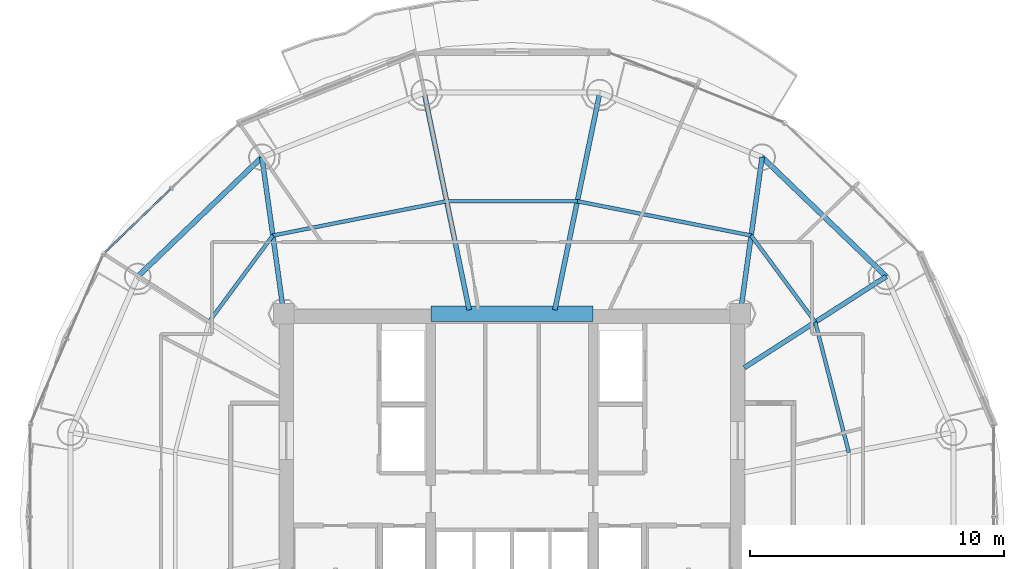
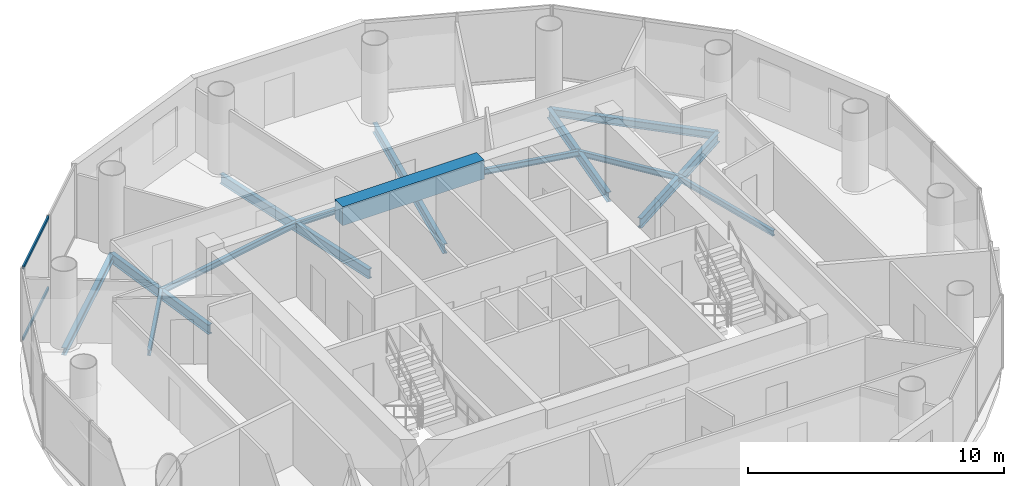
# One storey, part 9 of 23: 14 beams, 2 members, 1 element without a shape of its own.
"""IFC4 building model written with IfcOpenShell, lengths in metres."""

from ifc_helpers import new_model, si_unit, direction, frame, origin, origin_2d, place, context, subcontext, project, spatial, rectangle, hollow_rectangle, i_section, extrude, source, transform, mapped, material, material_profile, profile_set, type_object, element, aggregate, save


model = new_model("IFC4")

# Units and contexts
model_context = context("Model", 3, precision=1e-05, world=origin(), true_north=direction((-0.2419218956, 0.970295726276)))
body_context = subcontext(model_context, "Body", "Model", "MODEL_VIEW")
ifc_project = project(units=[si_unit("LENGTHUNIT", "METRE"), si_unit("AREAUNIT", "SQUARE_METRE"), si_unit("VOLUMEUNIT", "CUBIC_METRE"), si_unit("PLANEANGLEUNIT", "RADIAN"), si_unit("MASSUNIT", "GRAM", prefix="KILO")], contexts=[model_context])

# Site, building, storey
site_placement = place(None, origin())
site = spatial("IfcSite", under=ifc_project, at=site_placement, CompositionType="ELEMENT")
building_placement = place(site_placement, origin())
building = spatial("IfcBuilding", under=site, at=building_placement, Name="Cobrevalo Terracotta Tower", CompositionType="ELEMENT")
storey_placement = place(building_placement, frame((0.0, 0.0, 248.199951171875)))
storey = spatial("IfcBuildingStorey", under=building, at=storey_placement, Name="L65", CompositionType="ELEMENT", Elevation=248.199951171875)

# Beams
ifc_material_1 = material(Name="Concrete C60", Category="concrete")
ifc_material_profile_1 = material_profile(ifc_material_1, rectangle(XDim=0.60009765625, YDim=0.89990234375, at=origin_2d()), Name="RC CB 600x900")
ifc_profile_set_1 = profile_set([ifc_material_profile_1], Name="Concrete C60")
beam_type_1 = type_object("IfcBeamType", Name="Structural Beam RC CB 600x900 (Concrete C60)", PredefinedType="BEAM", material=ifc_profile_set_1)
beam_1_placement = place(storey_placement, frame((34.800048828125, 34.800048828125, 3.0400390625), z_axis=(1.0, 0.0, 0.0), x_axis=(0.0, 1.0, 0.0)))
element("IfcBeam", 1, at=beam_1_placement, inside=storey, type_object=beam_type_1, Name="L65 core coupling beam 2", PredefinedType="BEAM", context=body_context, shape_type="SweptSolid", body=[
    extrude(rectangle(XDim=0.60009765625, YDim=0.89990234375, at=origin_2d()), origin(), (0.0, 0.0, 1.0), 6.39990234375),
])
ifc_material_2 = material(Name="Steel S355", Category="steel")
ifc_material_profile_2 = material_profile(ifc_material_2, i_section(OverallWidth=0.19091796875, OverallDepth=0.4599609375, WebThickness=0.010009765625, FlangeThickness=0.01611328125, at=origin_2d()), Name="W 460x82")
ifc_profile_set_2 = profile_set([ifc_material_profile_2], Name="Steel S355")
beam_type_2 = type_object("IfcBeamType", Name="Structural Beam W 460x82 (Steel S355)", PredefinedType="BEAM", material=ifc_profile_set_2)
beam_2_placement = place(storey_placement, frame((52.758544921875, 36.2724609375, -0.489990234375), z_axis=(-0.84157615512, -0.540138477739, 0.0), x_axis=(0.540138477739, -0.84157615512, 0.0)))
element("IfcBeam", 2, at=beam_2_placement, inside=storey, type_object=beam_type_2, Name="L65 radial floor girder 02", PredefinedType="BEAM", context=body_context, shape_type="SweptSolid", body=[
    extrude(i_section(OverallWidth=0.19091796875, OverallDepth=0.4599609375, WebThickness=0.010009765625, FlangeThickness=0.01611328125, at=origin_2d()), origin(), (0.0, 0.0, 1.0), 6.658447265625),
])
beam_3_placement = place(storey_placement, frame((47.861328125, 40.9765625, -0.489990234375), z_axis=(-0.138115657759, -0.990416107039, 0.0), x_axis=(0.990416107039, -0.138115657759, 0.0)))
element("IfcBeam", 3, at=beam_3_placement, inside=storey, type_object=beam_type_2, Name="L65 radial floor girder 03", PredefinedType="BEAM", context=body_context, shape_type="SweptSolid", body=[
    extrude(i_section(OverallWidth=0.19091796875, OverallDepth=0.4599609375, WebThickness=0.010009765625, FlangeThickness=0.01611328125, at=origin_2d()), origin(), (0.0, 0.0, 1.0), 6.236328125),
])
for number, where, z_axis, x_axis, name in (
    (4, (41.462890625, 43.5224609375, -0.489990234375), (-0.202781841237, -0.9792239401, 0.0), (0.9792239401, -0.202781841237, 0.0), "L65 radial floor girder 04"),
    (5, (34.537109375, 43.5224609375, -0.489990234375), (0.202781841237, -0.9792239401, 0.0), (0.9792239401, 0.202781841237, 0.0), "L65 radial floor girder 05"),
):
    element("IfcBeam", number, at=place(storey_placement, frame(where, z_axis=z_axis, x_axis=x_axis)), inside=storey, type_object=beam_type_2, Name=name, PredefinedType="BEAM", context=body_context, shape_type="SweptSolid", body=[
        extrude(i_section(OverallWidth=0.19091796875, OverallDepth=0.4599609375, WebThickness=0.010009765625, FlangeThickness=0.01611328125, at=origin_2d()), origin(), (0.0, 0.0, 1.0), 8.749267578125),
    ])
beam_4_placement = place(storey_placement, frame((28.138671875, 40.9765625, -0.489990234375), z_axis=(0.138115657759, -0.990416107039, 0.0), x_axis=(0.990416107039, 0.138115657759, 0.0)))
element("IfcBeam", 6, at=beam_4_placement, inside=storey, type_object=beam_type_2, Name="L65 radial floor girder 06", PredefinedType="BEAM", context=body_context, shape_type="SweptSolid", body=[
    extrude(i_section(OverallWidth=0.19091796875, OverallDepth=0.4599609375, WebThickness=0.010009765625, FlangeThickness=0.01611328125, at=origin_2d()), origin(), (0.0, 0.0, 1.0), 6.236328125),
])
ifc_material_profile_3 = material_profile(ifc_material_2, i_section(OverallWidth=0.14794921875, OverallDepth=0.26611328125, WebThickness=0.007568359375, FlangeThickness=0.012939453125, at=origin_2d()), Name="W 250x44.8")
ifc_profile_set_3 = profile_set([ifc_material_profile_3], Name="Steel S355")
beam_type_3 = type_object("IfcBeamType", Name="Structural Joist W 250x44.8 (Steel S355)", PredefinedType="JOIST", material=ifc_profile_set_3)
beam_5_placement = place(storey_placement, frame((51.281982421875, 29.337646484375, -0.39306640625), z_axis=(-0.249816773293, 0.968293126993, 0.0), x_axis=(-0.968293126993, -0.249816773293, 0.0)))
element("IfcBeam", 7, at=beam_5_placement, inside=storey, type_object=beam_type_3, Name="L65 circumferential secondary floor joist 01", PredefinedType="JOIST", context=body_context, shape_type="SweptSolid", body=[
    extrude(i_section(OverallWidth=0.14794921875, OverallDepth=0.26611328125, WebThickness=0.007568359375, FlangeThickness=0.012939453125, at=origin_2d()), origin(), (0.0, 0.0, 1.0), 5.3046875),
])
beam_6_placement = place(storey_placement, frame((49.956787109375, 34.47412109375, -0.39306640625), z_axis=(-0.594799916617, 0.803873783123, 0.0), x_axis=(-0.803873783123, -0.594799916617, 0.0)))
element("IfcBeam", 8, at=beam_6_placement, inside=storey, type_object=beam_type_3, Name="L65 circumferential secondary floor joist 02", PredefinedType="JOIST", context=body_context, shape_type="SweptSolid", body=[
    extrude(i_section(OverallWidth=0.14794921875, OverallDepth=0.26611328125, WebThickness=0.007568359375, FlangeThickness=0.012939453125, at=origin_2d()), origin(), (0.0, 0.0, 1.0), 4.2470703125),
])
beam_7_placement = place(storey_placement, frame((47.4306640625, 37.88818359375, -0.39306640625), z_axis=(-0.98113843359, 0.19330642548, 0.0), x_axis=(-0.19330642548, -0.98113843359, 0.0)))
element("IfcBeam", 9, at=beam_7_placement, inside=storey, type_object=beam_type_3, Name="L65 circumferential secondary floor joist 03", PredefinedType="JOIST", context=body_context, shape_type="SweptSolid", body=[
    extrude(i_section(OverallWidth=0.14794921875, OverallDepth=0.26611328125, WebThickness=0.007568359375, FlangeThickness=0.012939453125, at=origin_2d()), origin(), (0.0, 0.0, 1.0), 6.98681640625),
])
beam_8_placement = place(storey_placement, frame((40.57568359375, 39.23876953125, -0.39306640625), z_axis=(-1.0, 0.0, 0.0), x_axis=(0.0, -1.0, 0.0)))
element("IfcBeam", 10, at=beam_8_placement, inside=storey, type_object=beam_type_3, Name="L65 circumferential secondary floor joist 04", PredefinedType="JOIST", context=body_context, shape_type="SweptSolid", body=[
    extrude(i_section(OverallWidth=0.14794921875, OverallDepth=0.26611328125, WebThickness=0.007568359375, FlangeThickness=0.012939453125, at=origin_2d()), origin(), (0.0, 0.0, 1.0), 5.1513671875),
])
beam_9_placement = place(storey_placement, frame((35.42431640625, 39.23876953125, -0.39306640625), z_axis=(-0.98113843359, -0.19330642548, 0.0), x_axis=(0.19330642548, -0.98113843359, 0.0)))
element("IfcBeam", 11, at=beam_9_placement, inside=storey, type_object=beam_type_3, Name="L65 circumferential secondary floor joist 05", PredefinedType="JOIST", context=body_context, shape_type="SweptSolid", body=[
    extrude(i_section(OverallWidth=0.14794921875, OverallDepth=0.26611328125, WebThickness=0.007568359375, FlangeThickness=0.012939453125, at=origin_2d()), origin(), (0.0, 0.0, 1.0), 6.98681640625),
])
beam_10_placement = place(storey_placement, frame((28.5693359375, 37.88818359375, -0.39306640625), z_axis=(-0.594799916617, -0.803873783123, 0.0), x_axis=(0.803873783123, -0.594799916617, 0.0)))
element("IfcBeam", 12, at=beam_10_placement, inside=storey, type_object=beam_type_3, Name="L65 circumferential secondary floor joist 06", PredefinedType="JOIST", context=body_context, shape_type="SweptSolid", body=[
    extrude(i_section(OverallWidth=0.14794921875, OverallDepth=0.26611328125, WebThickness=0.007568359375, FlangeThickness=0.012939453125, at=origin_2d()), origin(), (0.0, 0.0, 1.0), 4.2470703125),
])
ifc_material_profile_4 = material_profile(ifc_material_2, i_section(OverallWidth=0.205078125, OverallDepth=0.35400390625, WebThickness=0.009521484375, FlangeThickness=0.016845703125, at=origin_2d()), Name="W 360x79")
ifc_profile_set_4 = profile_set([ifc_material_profile_4], Name="Steel S355")
beam_type_4 = type_object("IfcBeamType", Name="Structural Spandrel W 360x79 (Steel S355)", PredefinedType="SPANDREL", material=ifc_profile_set_4)
for number, where, z_axis, x_axis, name in (
    (13, (52.758544921875, 36.2724609375, -0.43701171875), (-0.721183246144, 0.692744343522, 0.0), (-0.692744343522, -0.721183246144, 0.0), "L65 perimeter ring spandrel 02"),
    (14, (28.138671875, 40.9765625, -0.43701171875), (-0.721183246144, -0.692744343522, 0.0), (0.692744343522, -0.721183246144, 0.0), "L65 perimeter ring spandrel 06"),
):
    element("IfcBeam", number, at=place(storey_placement, frame(where, z_axis=z_axis, x_axis=x_axis)), inside=storey, type_object=beam_type_4, Name=name, PredefinedType="SPANDREL", context=body_context, shape_type="SweptSolid", body=[
        extrude(i_section(OverallWidth=0.205078125, OverallDepth=0.35400390625, WebThickness=0.009521484375, FlangeThickness=0.016845703125, at=origin_2d()), origin(), (0.0, 0.0, 1.0), 6.79052734375),
    ])

# Curtain wall, members
ifc_material_3 = material(Name="Anodized aluminium", Category="aluminium")
curtain_wall_type = type_object("IfcCurtainWallType", Name="Upper-tower triple-glazed penthouse curtain wall CW-U3", PredefinedType="NOTDEFINED", material=ifc_material_3)
curtain_wall_placement = place(storey_placement, origin())
curtain_wall = element("IfcCurtainWall", 15, at=curtain_wall_placement, inside=storey, type_object=curtain_wall_type, Name="L65 curtain wall CW-L65-S06", PredefinedType="NOTDEFINED")
ifc_material_profile_5 = material_profile(ifc_material_3, hollow_rectangle(XDim=0.074951171875, YDim=0.14990234375, WallThickness=0.00439453125, at=origin_2d()), Name="CWT 75x150")
ifc_profile_set_5 = profile_set([ifc_material_profile_5], Name="Anodized aluminium")
member_type = type_object("IfcMemberType", Name="Tower unitised aluminium transom 75x150", PredefinedType="USERDEFINED", material=ifc_profile_set_5)
shared_shape = source(origin(), body_context, "Body", "SweptSolid", [
    extrude(hollow_rectangle(XDim=0.074951171875, YDim=0.14990234375, WallThickness=0.00439453125, at=origin_2d()), origin(), (0.0, 0.0, 1.0), 3.59130859375),
])
member_1_placement = place(storey_placement, frame((24.537841796875, 39.72021484375, 0.050048828125), z_axis=(-0.720005628362, -0.693968223427, 0.0), x_axis=(0.693968223427, -0.720005628362, 0.0)))
member_1 = element("IfcMember", 16, at=member_1_placement, type_object=member_type, Name="CW-L65-S06 transom B02-T1", ObjectType="TRANSOM", PredefinedType="USERDEFINED", context=body_context, shape_type="MappedRepresentation", body=[
    mapped(shared_shape, transform((0.0, 0.0, 0.0), scale=1.0)),
])
member_2_placement = place(storey_placement, frame((24.537841796875, 39.72021484375, 3.43994140625), z_axis=(-0.720005628362, -0.693968223427, 0.0), x_axis=(0.693968223427, -0.720005628362, 0.0)))
member_2 = element("IfcMember", 17, at=member_2_placement, type_object=member_type, Name="CW-L65-S06 transom B02-T2", ObjectType="TRANSOM", PredefinedType="USERDEFINED", context=body_context, shape_type="MappedRepresentation", body=[
    mapped(shared_shape, transform((0.0, 0.0, 0.0), scale=1.0)),
])
aggregate(curtain_wall, [member_1, member_2])

save(model, "model.ifc")
